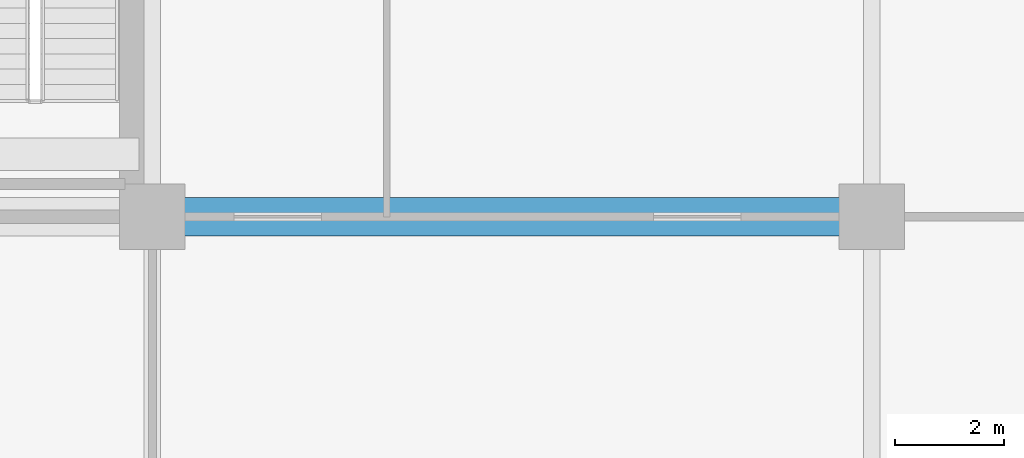
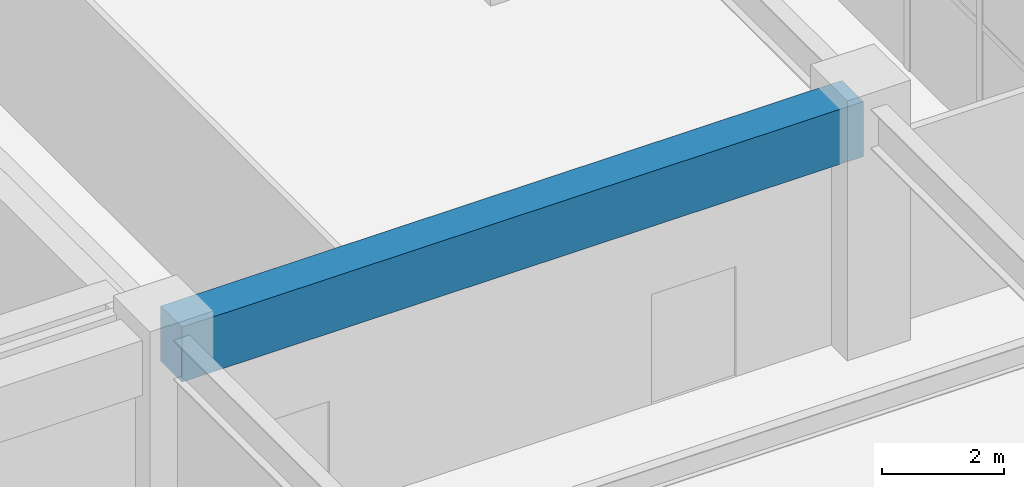
# One storey, part 25 of 40: 1 beam.
"""IFC4 building model written with IfcOpenShell, lengths in metres."""

from ifc_helpers import new_model, si_unit, direction, frame, origin, origin_2d, place, context, subcontext, project, spatial, rectangle, extrude, source, transform, mapped, material, material_profile, profile_set, type_object, element, save


model = new_model("IFC4")

# Units and contexts
model_context = context("Model", 3, precision=1e-05, world=origin(), true_north=direction((0.0, 1.0)))
body_context = subcontext(model_context, "Body", "Model", "MODEL_VIEW")
ifc_project = project(units=[si_unit("LENGTHUNIT", "METRE"), si_unit("AREAUNIT", "SQUARE_METRE"), si_unit("VOLUMEUNIT", "CUBIC_METRE"), si_unit("PLANEANGLEUNIT", "RADIAN"), si_unit("MASSUNIT", "GRAM", prefix="KILO")], contexts=[model_context])

# Site, building, storey
site_placement = place(None, origin())
site = spatial("IfcSite", under=ifc_project, at=site_placement, CompositionType="ELEMENT")
building_placement = place(site_placement, origin())
building = spatial("IfcBuilding", under=site, at=building_placement, Name="Trelvane Seafront Commons", CompositionType="ELEMENT")
storey_placement = place(building_placement, origin())
storey = spatial("IfcBuildingStorey", under=building, at=storey_placement, Name="L00", CompositionType="ELEMENT", Elevation=0.0)

# Beam
ifc_material = material(Name="Concrete C50/60", Category="concrete")
ifc_material_profile = material_profile(ifc_material, rectangle(XDim=0.699951171875, YDim=1.10009765625, at=origin_2d()), Name="RC-700x1100")
ifc_profile_set = profile_set([ifc_material_profile], Name="Concrete C50/60")
beam_type = type_object("IfcBeamType", Name="STR-TBM-RC700x1100", PredefinedType="T_BEAM", material=ifc_profile_set)
shared_shape = source(origin(), body_context, "Body", "SweptSolid", [
    extrude(rectangle(XDim=0.699951171875, YDim=1.10009765625, at=origin_2d()), origin(), (0.0, 0.0, 1.0), 12.900146484375),
])
beam_placement = place(storey_placement, frame((58.949951171875, 33.39990234375, 4.330078125), z_axis=(1.0, 0.0, 0.0), x_axis=(0.0, 1.0, 0.0)))
element("IfcBeam", 1, at=beam_placement, inside=storey, type_object=beam_type, Name="L00 Primary Girder G-18", PredefinedType="T_BEAM", context=body_context, shape_type="MappedRepresentation", body=[
    mapped(shared_shape, transform((0.0, 0.0, 0.0), x_axis=(1.0, 0.0, 0.0), y_axis=(0.0, 1.0, 0.0), z_axis=(0.0, 0.0, 1.0), scale=1.0)),
])

save(model, "model.ifc")
